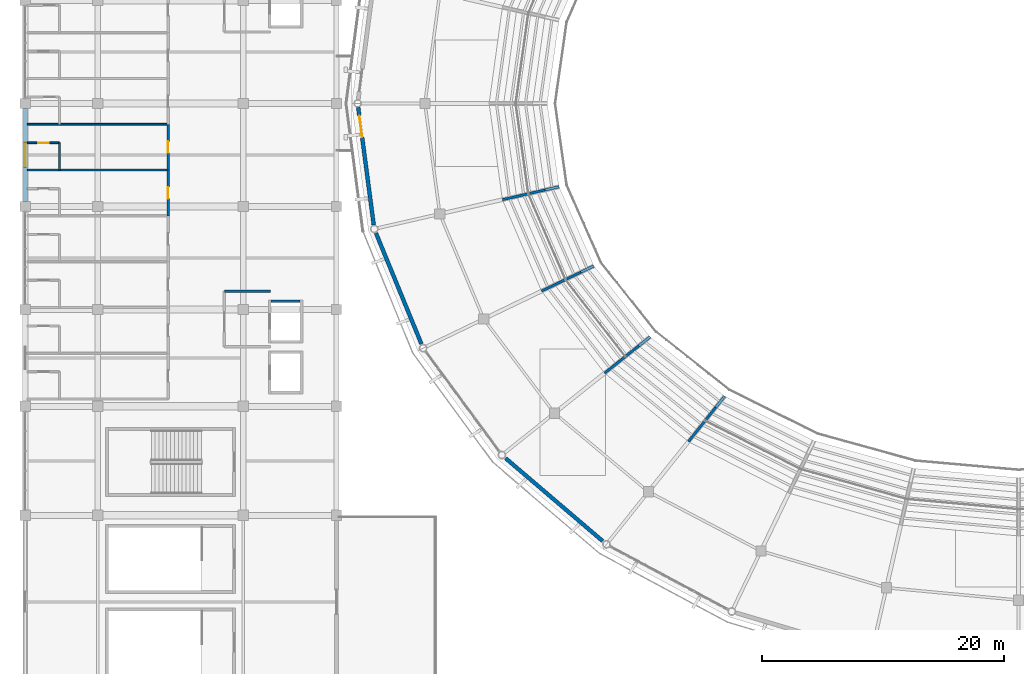
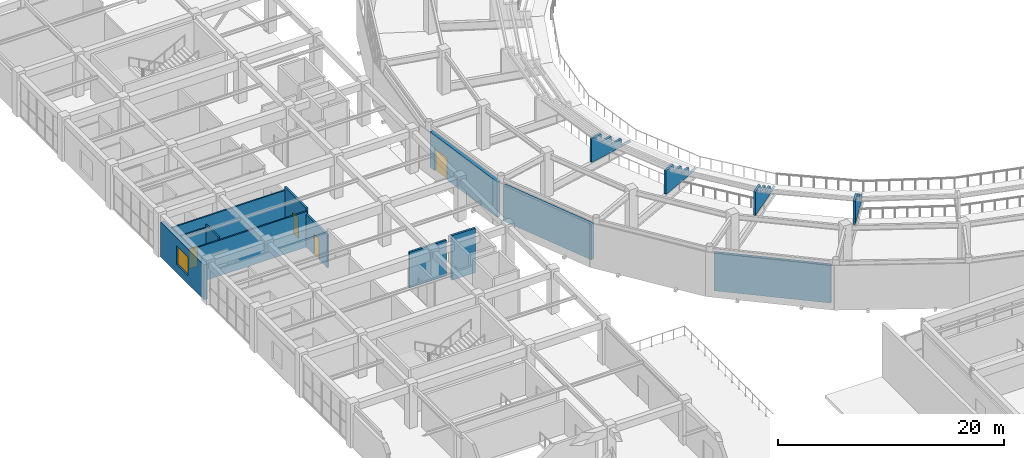
# One storey, part 95 of 122: 16 walls, 4 doors, 1 window, 5 openings.
"""IFC4 building model written with IfcOpenShell, lengths in metres."""

from ifc_helpers import new_model, si_unit, direction, frame, frame_2d, origin, place, context, subcontext, project, spatial, polyline, rectangle, outline, extrude, material, layer, layer_set, type_object, element, fill, save


model = new_model("IFC4")

# Units and contexts
model_context = context("Model", 3, precision=1e-05, world=origin(), true_north=direction((0.0, 1.0)))
body_context = subcontext(model_context, "Body", "Model", "MODEL_VIEW")
ifc_project = project(units=[si_unit("LENGTHUNIT", "METRE"), si_unit("AREAUNIT", "SQUARE_METRE"), si_unit("VOLUMEUNIT", "CUBIC_METRE"), si_unit("PLANEANGLEUNIT", "RADIAN"), si_unit("MASSUNIT", "GRAM", prefix="KILO")], contexts=[model_context])

# Site, building, storey
site_placement = place(None, origin())
site = spatial("IfcSite", under=ifc_project, at=site_placement, CompositionType="ELEMENT")
building_placement = place(site_placement, origin())
building = spatial("IfcBuilding", under=site, at=building_placement, Name="Cuetzalor Civic Arena", CompositionType="ELEMENT")
storey_placement = place(building_placement, frame((0.0, 0.0, 16.199951171875)))
storey = spatial("IfcBuildingStorey", under=building, at=storey_placement, Name="L03", CompositionType="ELEMENT", Elevation=16.199951171875)

# Wall
ifc_material_1 = material(Name="Acoustic steel-stud gypsum partition", Category="steel")
ifc_layer_1 = layer(ifc_material_1, 0.14990234375)
ifc_layer_set_1 = layer_set([ifc_layer_1], Name="Acoustic steel-stud gypsum partition")
wall_type_1 = type_object("IfcWallType", Name="AcousticGypsumPartition_150", PredefinedType="PARTITIONING", material=ifc_layer_set_1)
wall_1_placement = place(storey_placement, frame((-81.820068359375, -5.5, 0.0), z_axis=(0.0, 0.0, 1.0), x_axis=(1.0, 0.0, 0.0)))
element("IfcWall", 1, at=wall_1_placement, inside=storey, type_object=wall_type_1, Name="Interior Partition IWALL:L03:0407", PredefinedType="PARTITIONING", context=body_context, shape_type="SweptSolid", body=[
    extrude(rectangle(XDim=11.6201171875, YDim=0.14990234375, at=frame_2d((5.81005859375, 0.0))), origin(), (0.0, 0.0, 1.0), 3.844970703125),
])

# Wall, opening, door
wall_2_placement = place(storey_placement, frame((-81.820068359375, -3.25, 0.0), z_axis=(0.0, 0.0, 1.0), x_axis=(1.0, 0.0, 0.0)))
wall_2 = element("IfcWall", 2, at=wall_2_placement, inside=storey, type_object=wall_type_1, Name="Interior Partition IWALL:L03:0408", PredefinedType="PARTITIONING", context=body_context, shape_type="SweptSolid", body=[
    extrude(rectangle(XDim=2.650146484375, YDim=0.14990234375, at=frame_2d((1.3251953125, 0.0))), origin(), (0.0, 0.0, 1.0), 3.844970703125),
])
opening_1_placement = place(wall_2_placement, frame((0.89990234375, 0.0, 0.0)))
opening_1 = element("IfcOpeningElement", 3, at=opening_1_placement, cuts=wall_2, Name="Opening ID-01", PredefinedType="OPENING", context=body_context, shape_type="SweptSolid", body=[
    extrude(rectangle(XDim=0.85009765625, YDim=2.14990234375, at=frame_2d((0.425048828125, 1.074951171875))), frame((0.0, 0.0849609375, 0.0), z_axis=(0.0, -1.0, 0.0), x_axis=(1.0, 0.0, 0.0)), (0.0, 0.0, 1.0), 0.169921875),
])
ifc_material_2 = material(Name="Painted steel frame and solid timber leaf", Category="steel")
door_type_1 = type_object("IfcDoorType", Name="InteriorSingleDoor_850x2150", OperationType="NOTDEFINED", PredefinedType="DOOR", material=ifc_material_2)
door_1_placement = place(opening_1_placement, origin())
door_1 = element("IfcDoor", 4, at=door_1_placement, inside=storey, type_object=door_type_1, Name="Door to Suite Bathroom 306", OperationType="SINGLE_SWING_LEFT", OverallHeight=2.14990234375, OverallWidth=0.85009765625, PredefinedType="DOOR", context=body_context, shape_type="SweptSolid", body=[
    extrude(rectangle(XDim=0.85009765625, YDim=2.14990234375, at=frame_2d((0.425048828125, 1.074951171875))), frame((0.0, 0.02490234375, 0.0), z_axis=(0.0, -1.0, 0.0), x_axis=(1.0, 0.0, 0.0)), (0.0, 0.0, 1.0), 0.050048828125),
])
fill(opening_1, door_1)

# Walls
wall_3_placement = place(storey_placement, frame((-79.169921875, -3.25, 0.0), z_axis=(0.0, 0.0, 1.0), x_axis=(0.0, -1.0, 0.0)))
element("IfcWall", 5, at=wall_3_placement, inside=storey, type_object=wall_type_1, Name="Interior Partition IWALL:L03:0409", PredefinedType="PARTITIONING", context=body_context, shape_type="SweptSolid", body=[
    extrude(rectangle(XDim=2.25, YDim=0.14990234375, at=frame_2d((1.125, 0.0))), origin(), (0.0, 0.0, 1.0), 4.18212890625),
])
wall_4_placement = place(storey_placement, frame((-81.820068359375, -1.719970703125, 0.0), z_axis=(0.0, 0.0, 1.0), x_axis=(1.0, 0.0, 0.0)))
element("IfcWall", 6, at=wall_4_placement, inside=storey, type_object=wall_type_1, Name="Interior Partition IWALL:L03:0411", PredefinedType="PARTITIONING", context=body_context, shape_type="SweptSolid", body=[
    extrude(rectangle(XDim=11.6201171875, YDim=0.14990234375, at=frame_2d((5.81005859375, 0.0))), origin(), (0.0, 0.0, 1.0), 3.844970703125),
])
ifc_material_3 = material(Name="Fire-rated masonry and gypsum partition", Category="masonry")
ifc_layer_2 = layer(ifc_material_3, 0.199951171875)
ifc_layer_set_2 = layer_set([ifc_layer_2], Name="Fire-rated masonry and gypsum partition")
wall_type_2 = type_object("IfcWallType", Name="FireCompartmentWall_200", PredefinedType="PARTITIONING", material=ifc_layer_set_2)
wall_5_placement = place(storey_placement, frame((-65.550048828125, -15.5, 0.0), z_axis=(0.0, 0.0, 1.0), x_axis=(1.0, 0.0, 0.0)))
element("IfcWall", 7, at=wall_5_placement, inside=storey, type_object=wall_type_2, Name="Interior Partition IWALL:L03:0011", PredefinedType="PARTITIONING", context=body_context, shape_type="SweptSolid", body=[
    extrude(rectangle(XDim=3.800048828125, YDim=0.199951171875, at=frame_2d((1.89990234375, 0.0))), origin(), (0.0, 0.0, 1.0), 3.844970703125),
])

# Wall, opening, door
wall_6_placement = place(storey_placement, frame((-70.199951171875, -5.5, 0.0), z_axis=(0.0, 0.0, 1.0), x_axis=(0.0, -1.0, 0.0)))
wall_6 = element("IfcWall", 8, at=wall_6_placement, inside=storey, type_object=wall_type_2, Name="Interior Partition IWALL:L03:0406", PredefinedType="PARTITIONING", context=body_context, shape_type="SweptSolid", body=[
    extrude(rectangle(XDim=3.780029296875, YDim=0.199951171875, at=frame_2d((1.89013671875, 0.0))), origin(), (0.0, 0.0, 1.0), 3.545166015625),
])
opening_2_placement = place(wall_6_placement, frame((1.4150390625, 0.0, 0.0)))
opening_2 = element("IfcOpeningElement", 9, at=opening_2_placement, cuts=wall_6, Name="Opening ID-05", PredefinedType="OPENING", context=body_context, shape_type="SweptSolid", body=[
    extrude(rectangle(XDim=0.949951171875, YDim=2.25, at=frame_2d((0.47509765625, 1.125))), frame((0.0, 0.10986328125, 0.0), z_axis=(0.0, -1.0, 0.0), x_axis=(1.0, 0.0, 0.0)), (0.0, 0.0, 1.0), 0.219970703125),
])
ifc_material_4 = material(Name="Bronze-clad fire-rated acoustic timber door", Category="wood")
door_type_2 = type_object("IfcDoorType", Name="SuiteEntryDoor_950x2150", OperationType="NOTDEFINED", PredefinedType="DOOR", material=ifc_material_4)
door_2_placement = place(opening_2_placement, origin())
door_2 = element("IfcDoor", 10, at=door_2_placement, inside=storey, type_object=door_type_2, Name="Door to Private Viewing Suite 305", OperationType="SINGLE_SWING_RIGHT", OverallHeight=2.25, OverallWidth=0.949951171875, PredefinedType="DOOR", context=body_context, shape_type="SweptSolid", body=[
    extrude(rectangle(XDim=0.949951171875, YDim=2.25, at=frame_2d((0.47509765625, 1.125))), frame((0.0, 0.02490234375, 0.0), z_axis=(0.0, -1.0, 0.0), x_axis=(1.0, 0.0, 0.0)), (0.0, 0.0, 1.0), 0.050048828125),
])
fill(opening_2, door_2)

wall_7_placement = place(storey_placement, frame((-70.199951171875, -1.719970703125, 0.0), z_axis=(0.0, 0.0, 1.0), x_axis=(0.0, -1.0, 0.0)))
wall_7 = element("IfcWall", 11, at=wall_7_placement, inside=storey, type_object=wall_type_2, Name="Interior Partition IWALL:L03:0410", PredefinedType="PARTITIONING", context=body_context, shape_type="SweptSolid", body=[
    extrude(rectangle(XDim=3.780029296875, YDim=0.199951171875, at=frame_2d((1.89013671875, 0.0))), origin(), (0.0, 0.0, 1.0), 4.18212890625),
])
opening_3_placement = place(wall_7_placement, frame((1.4150390625, 0.0, 0.0)))
opening_3 = element("IfcOpeningElement", 12, at=opening_3_placement, cuts=wall_7, Name="Opening ID-05", PredefinedType="OPENING", context=body_context, shape_type="SweptSolid", body=[
    extrude(rectangle(XDim=0.949951171875, YDim=2.25, at=frame_2d((0.47509765625, 1.125))), frame((0.0, 0.10986328125, 0.0), z_axis=(0.0, -1.0, 0.0), x_axis=(1.0, 0.0, 0.0)), (0.0, 0.0, 1.0), 0.219970703125),
])
door_3_placement = place(opening_3_placement, origin())
door_3 = element("IfcDoor", 13, at=door_3_placement, inside=storey, type_object=door_type_2, Name="Door to Private Viewing Suite 306", OperationType="SINGLE_SWING_RIGHT", OverallHeight=2.25, OverallWidth=0.949951171875, PredefinedType="DOOR", context=body_context, shape_type="SweptSolid", body=[
    extrude(rectangle(XDim=0.949951171875, YDim=2.25, at=frame_2d((0.47509765625, 1.125))), frame((0.0, 0.02490234375, 0.0), z_axis=(0.0, -1.0, 0.0), x_axis=(1.0, 0.0, 0.0)), (0.0, 0.0, 1.0), 0.050048828125),
])
fill(opening_3, door_3)

ifc_material_5 = material(Name="Precast concrete C40/50 insulated cladding", Category="concrete")
ifc_layer_3 = layer(ifc_material_5, 0.320068359375)
ifc_layer_set_3 = layer_set([ifc_layer_3], Name="Precast concrete C40/50 insulated cladding")
wall_type_3 = type_object("IfcWallType", Name="InsulatedPrecastWall_320", PredefinedType="SOLIDWALL", material=ifc_layer_set_3)
wall_8_placement = place(storey_placement, frame((-53.224853515625, -10.036865234375, 0.0), z_axis=(0.0, 0.0, 1.0), x_axis=(-0.130894016981, 0.991396366908, 0.0)))
wall_8 = element("IfcWall", 14, at=wall_8_placement, inside=storey, type_object=wall_type_3, Name="Drum Acoustic Backing Wall L03-049", PredefinedType="SOLIDWALL", context=body_context, shape_type="SweptSolid", body=[
    extrude(rectangle(XDim=9.799560546875, YDim=0.320068359375, at=frame_2d((4.89990234375, 0.0))), origin(), (0.0, 0.0, 1.0), 3.83203125),
])
opening_4_placement = place(wall_8_placement, frame((7.299560546875, 0.0, 0.0)))
opening_4 = element("IfcOpeningElement", 15, at=opening_4_placement, cuts=wall_8, Name="Opening ED-09", PredefinedType="OPENING", context=body_context, shape_type="SweptSolid", body=[
    extrude(rectangle(XDim=1.800048828125, YDim=2.39990234375, at=frame_2d((0.89990234375, 1.199951171875))), frame((0.0, 0.169921875, 0.0), z_axis=(0.0, -1.0, 0.0), x_axis=(1.0, 0.0, 0.0)), (0.0, 0.0, 1.0), 0.340087890625),
])
ifc_material_6 = material(Name="Thermally broken bronze steel and laminated glass", Category="steel")
door_type_3 = type_object("IfcDoorType", Name="RoofGardenGlazedDoor_1800x2400", OperationType="DOUBLE_DOOR_SINGLE_SWING", PredefinedType="DOOR", material=ifc_material_6)
door_4_placement = place(opening_4_placement, origin())
door_4 = element("IfcDoor", 16, at=door_4_placement, inside=storey, type_object=door_type_3, Name="Seismic Bridge Circulation Door L03-S15", OperationType="DOUBLE_DOOR_SINGLE_SWING", OverallHeight=2.39990234375, OverallWidth=1.800048828125, PredefinedType="DOOR", context=body_context, shape_type="SweptSolid", body=[
    extrude(rectangle(XDim=1.800048828125, YDim=2.39990234375, at=frame_2d((0.89990234375, 1.199951171875))), frame((0.0, 0.02490234375, 0.0), z_axis=(0.0, -1.0, 0.0), x_axis=(1.0, 0.0, 0.0)), (0.0, 0.0, 1.0), 0.050048828125),
])
fill(opening_4, door_4)

# Walls
wall_9_placement = place(storey_placement, frame((-49.2919921875, -19.845703125, 0.0), z_axis=(0.0, 0.0, 1.0), x_axis=(-0.379382703047, 0.925239841678, 0.0)))
element("IfcWall", 17, at=wall_9_placement, inside=storey, type_object=wall_type_3, Name="Drum Acoustic Backing Wall L03-050", PredefinedType="SOLIDWALL", context=body_context, shape_type="SweptSolid", body=[
    extrude(rectangle(XDim=9.874267578125, YDim=0.320068359375, at=frame_2d((4.93701171875, 0.0))), origin(), (0.0, 0.0, 1.0), 3.83203125),
])
wall_10_placement = place(storey_placement, frame((-34.32470703125, -36.126953125, 0.0), z_axis=(0.0, 0.0, 1.0), x_axis=(-0.760681761173, 0.649124994296, 0.0)))
element("IfcWall", 18, at=wall_10_placement, inside=storey, type_object=wall_type_3, Name="Drum Acoustic Backing Wall L03-051", PredefinedType="SOLIDWALL", context=body_context, shape_type="SweptSolid", body=[
    extrude(rectangle(XDim=10.531005859375, YDim=0.320068359375, at=frame_2d((5.265625, 0.0))), origin(), (0.0, 0.0, 1.0), 4.052978515625),
])
ifc_material_7 = material(Name="Concrete C40/50", Category="concrete")
ifc_layer_4 = layer(ifc_material_7, 0.219970703125)
ifc_layer_set_4 = layer_set([ifc_layer_4], Name="Concrete C40/50")
wall_type_4 = type_object("IfcWallType", Name="LiftShaftShearWall_220", PredefinedType="SHEAR", material=ifc_layer_set_4)
wall_11_placement = place(storey_placement, frame((-61.699951171875, -16.340087890625, 0.0), z_axis=(0.0, 0.0, 1.0), x_axis=(1.0, 0.0, 0.0)))
element("IfcWall", 19, at=wall_11_placement, inside=storey, type_object=wall_type_4, Name="Lift Shaft Wall LF-01-L03-N", PredefinedType="SHEAR", context=body_context, shape_type="SweptSolid", body=[
    extrude(rectangle(XDim=2.39990234375, YDim=0.219970703125, at=frame_2d((1.199951171875, 0.0))), origin(), (0.0, 0.0, 1.0), 4.800048828125),
])
ifc_material_8 = material(Name="Precast concrete C40/50", Category="concrete")
ifc_layer_5 = layer(ifc_material_8, 0.2099609375)
ifc_layer_set_5 = layer_set([ifc_layer_5], Name="Precast concrete C40/50")
wall_type_5 = type_object("IfcWallType", Name="PrecastBowlRiserWall_210", PredefinedType="SHEAR", material=ifc_layer_set_5)
wall_12_placement = place(storey_placement, frame((-37.9248046875, -6.8759765625, 0.9111328125), z_axis=(0.0, 0.0, 1.0), x_axis=(-0.974925072584, -0.222533374683, 0.0)))
element("IfcWall", 20, at=wall_12_placement, inside=storey, type_object=wall_type_5, Name="Upper Bowl Radial Raker Web Wall S16", PredefinedType="SHEAR", context=body_context, shape_type="SweptSolid", body=[
    extrude(outline(polyline([(0.0, 0.0), (4.7998046875, 0.0), (4.7998046875, 2.5439453125), (3.60986328125, 2.5439453125), (3.599853515625, 1.69384765625), (2.409912109375, 1.69384765625), (2.39990234375, 0.843994140625), (1.2099609375, 0.843994140625), (1.199951171875, 0.039794921875), (0.0, 0.039794921875), (0.0, 0.0)])), frame((0.0, 0.10498046875, 0.0), z_axis=(0.0, -1.0, 0.0), x_axis=(1.0, 0.0, 0.0)), (0.0, 0.0, 1.0), 0.2099609375),
])
wall_13_placement = place(storey_placement, frame((-35.047607421875, -13.406982421875, 0.9111328125), z_axis=(0.0, 0.0, 1.0), x_axis=(-0.900981051808, -0.433858438067, 0.0)))
element("IfcWall", 21, at=wall_13_placement, inside=storey, type_object=wall_type_5, Name="Upper Bowl Radial Raker Web Wall S17", PredefinedType="SHEAR", context=body_context, shape_type="SweptSolid", body=[
    extrude(outline(polyline([(0.0, 0.0), (4.800048828125, 0.0), (4.7998046875, 2.5439453125), (3.60986328125, 2.5439453125), (3.599853515625, 1.69384765625), (2.409912109375, 1.69384765625), (2.39990234375, 0.843994140625), (1.2099609375, 0.843994140625), (1.199951171875, 0.039794921875), (0.0, 0.039794921875), (0.0, 0.0)])), frame((0.0, 0.10498046875, 0.0), z_axis=(0.0, -1.0, 0.0), x_axis=(1.0, 0.0, 0.0)), (0.0, 0.0, 1.0), 0.2099609375),
])
wall_14_placement = place(storey_placement, frame((-30.4130859375, -19.265869140625, 0.9111328125), z_axis=(0.0, 0.0, 1.0), x_axis=(-0.781850348235, -0.623466144201, 0.0)))
element("IfcWall", 22, at=wall_14_placement, inside=storey, type_object=wall_type_5, Name="Upper Bowl Radial Raker Web Wall S18", PredefinedType="SHEAR", context=body_context, shape_type="SweptSolid", body=[
    extrude(outline(polyline([(0.0, 0.0), (4.800048828125, 0.0), (4.800048828125, 2.5439453125), (3.610107421875, 2.5439453125), (3.60009765625, 1.69384765625), (2.409912109375, 1.69384765625), (2.39990234375, 0.843994140625), (1.2099609375, 0.843994140625), (1.199951171875, 0.039794921875), (0.0, 0.039794921875), (0.0, 0.0)])), frame((0.0, 0.10498046875, 0.0), z_axis=(0.0, -1.0, 0.0), x_axis=(1.0, 0.0, 0.0)), (0.0, 0.0, 1.0), 0.2099609375),
])
wall_15_placement = place(storey_placement, frame((-24.25390625, -24.15869140625, 0.9111328125), z_axis=(0.0, 0.0, 1.0), x_axis=(-0.623490937913, -0.781830576494, 0.0)))
element("IfcWall", 23, at=wall_15_placement, inside=storey, type_object=wall_type_5, Name="Upper Bowl Radial Raker Web Wall S19", PredefinedType="SHEAR", context=body_context, shape_type="SweptSolid", body=[
    extrude(outline(polyline([(0.0, 0.0), (4.7998046875, 0.0), (4.800048828125, 2.5439453125), (3.610107421875, 2.5439453125), (3.60009765625, 1.69384765625), (2.409912109375, 1.69384765625), (2.39990234375, 0.843994140625), (1.2099609375, 0.843994140625), (1.199951171875, 0.039794921875), (0.0, 0.039794921875), (0.0, 0.0)])), frame((0.0, 0.10498046875, 0.0), z_axis=(0.0, -1.0, 0.0), x_axis=(1.0, 0.0, 0.0)), (0.0, 0.0, 1.0), 0.2099609375),
])

# Wall, opening, window
ifc_material_9 = material(Name="Polychrome Talavera ceramic on Concrete C35/45", Category="concrete")
ifc_layer_6 = layer(ifc_material_9, 0.3798828125)
ifc_layer_set_6 = layer_set([ifc_layer_6], Name="Polychrome Talavera ceramic on Concrete C35/45")
wall_type_6 = type_object("IfcWallType", Name="TalaveraSpandrelWall_380", PredefinedType="SOLIDWALL", material=ifc_layer_set_6)
wall_16_placement = place(storey_placement, frame((-82.0, -8.093017578125, 0.0), z_axis=(0.0, 0.0, 1.0), x_axis=(0.0, 1.0, 0.0)))
wall_16 = element("IfcWall", 24, at=wall_16_placement, inside=storey, type_object=wall_type_6, Name="V4W Outer Talavera Wall L03-138", PredefinedType="SOLIDWALL", context=body_context, shape_type="SweptSolid", body=[
    extrude(rectangle(XDim=7.68603515625, YDim=0.3798828125, at=frame_2d((3.843017578125, 0.0))), origin(), (0.0, 0.0, 1.0), 3.760009765625),
])
opening_5_placement = place(wall_16_placement, frame((2.818115234375, 0.0, 0.89990234375)))
opening_5 = element("IfcOpeningElement", 25, at=opening_5_placement, cuts=wall_16, Name="Opening WN-33", PredefinedType="OPENING", context=body_context, shape_type="SweptSolid", body=[
    extrude(rectangle(XDim=2.050048828125, YDim=2.0, at=frame_2d((1.02490234375, 1.0))), frame((0.0, 0.199951171875, 0.0), z_axis=(0.0, -1.0, 0.0), x_axis=(1.0, 0.0, 0.0)), (0.0, 0.0, 1.0), 0.39990234375),
])
ifc_material_10 = material(Name="Anodised bronze aluminium and low-E solar glass", Category="aluminium")
window_type = type_object("IfcWindowType", Name="BronzeThermalWindow_2050x2000", PartitioningType="DOUBLE_PANEL_VERTICAL", PredefinedType="WINDOW", material=ifc_material_10)
window_placement = place(opening_5_placement, origin())
window = element("IfcWindow", 26, at=window_placement, inside=storey, type_object=window_type, Name="V4W Facade Window L03-0033", OverallHeight=2.0, OverallWidth=2.050048828125, PartitioningType="SINGLE_PANEL", PredefinedType="WINDOW", context=body_context, shape_type="SweptSolid", body=[
    extrude(rectangle(XDim=2.050048828125, YDim=2.0, at=frame_2d((1.02490234375, 1.0))), frame((0.0, 0.030029296875, 0.0), z_axis=(0.0, -1.0, 0.0), x_axis=(1.0, 0.0, 0.0)), (0.0, 0.0, 1.0), 0.06005859375),
])
fill(opening_5, window)

save(model, "model.ifc")
